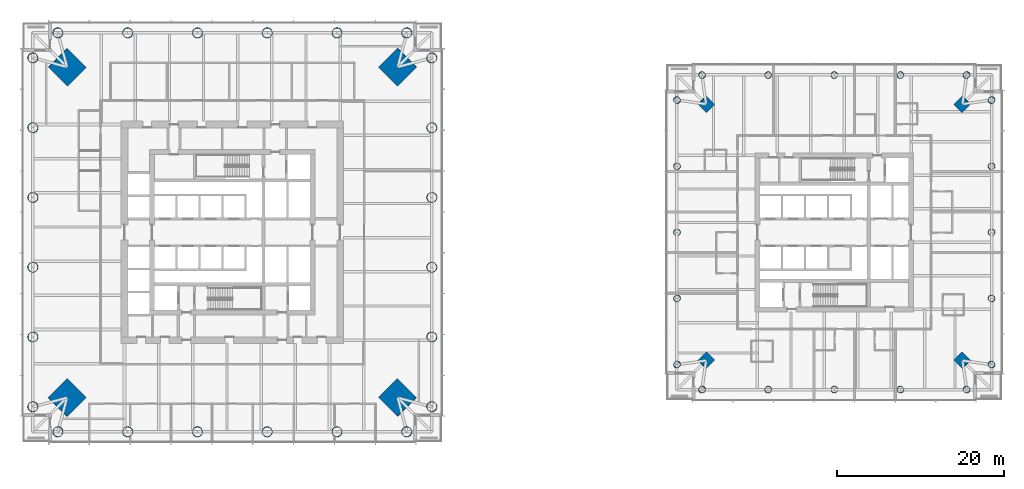
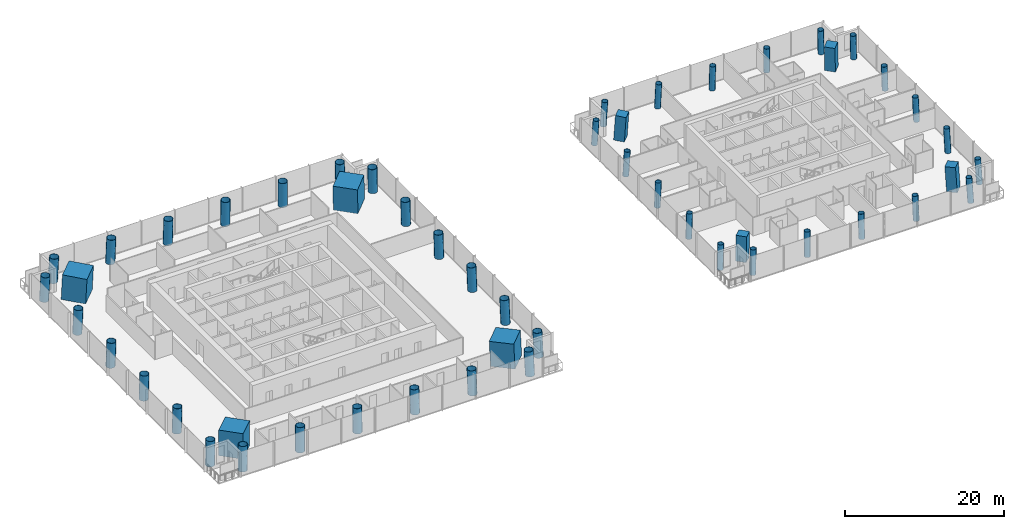
# One storey, part 1 of 19: 52 columns.
"""IFC4 building model written with IfcOpenShell, lengths in metres."""

import ifcopenshell
import ifcopenshell.guid

model = None  # the IFC model being written
_history = None  # IfcOwnerHistory: only IFC2X3 demands one
_inside = {}  # id of a spatial element -> (the spatial element, [elements in it])
_under = {}  # id of a project, library or spatial element -> (it, [spatial elements below it])
_declared = {}  # id of a project -> (the project, [libraries it declares])
_typed = {}  # id of a type object -> (the type object, [elements of that type])
_made_of = {}  # id of a material, layer set ... -> (it, [elements and type objects made of it])


def new_model(schema):
    """Start an empty IFC model of exactly this schema.

    Asked for "IFC4X3", IfcOpenShell would pick the latest addendum, in which some entities
    have other attributes; the version numbers below select the first issue.
    IFC2X3 requires an IfcOwnerHistory on every rooted entity: one is made here for all.
    """
    global model, _history
    if schema == "IFC4X3":
        model = ifcopenshell.file(schema_version=(4, 3, 0, 0))
    else:
        model = ifcopenshell.file(schema=schema)
    _inside.clear()
    _under.clear()
    _declared.clear()
    _typed.clear()
    _made_of.clear()
    _history = None
    if model.schema == "IFC2X3":
        org = make("IfcOrganization", Name="unknown")
        user = make(
            "IfcPersonAndOrganization",
            ThePerson=make("IfcPerson", FamilyName="unknown"),
            TheOrganization=org,
        )
        app = make(
            "IfcApplication",
            ApplicationDeveloper=org,
            Version="unknown",
            ApplicationFullName="unknown",
            ApplicationIdentifier="unknown",
        )
        _history = make(
            "IfcOwnerHistory",
            OwningUser=user,
            OwningApplication=app,
            ChangeAction="ADDED",
            CreationDate=0,
        )
    return model


def make(cls, **values):
    """One entity of the class cls with the attributes given. An attribute that is None is left unset."""
    return model.create_entity(
        cls, **{name: value for name, value in values.items() if value is not None}
    )


def rooted(cls, **values):
    """An entity with a GlobalId (a new one), such as an element, a storey or a relation."""
    return make(cls, GlobalId=ifcopenshell.guid.new(), OwnerHistory=_history, **values)


def si_unit(unit_type, name, prefix=None):
    """IfcSIUnit, for example si_unit("LENGTHUNIT", "METRE", prefix="MILLI")."""
    return make("IfcSIUnit", UnitType=unit_type, Prefix=prefix, Name=name)


def assignment(units):
    """IfcUnitAssignment: the units of a project."""
    return None if units is None else make("IfcUnitAssignment", Units=units)


def point(xyz):
    """IfcCartesianPoint."""
    return None if xyz is None else make("IfcCartesianPoint", Coordinates=xyz)


def direction(xyz):
    """IfcDirection."""
    return None if xyz is None else make("IfcDirection", DirectionRatios=xyz)


def frame(location, z_axis=None, x_axis=None):
    """IfcAxis2Placement3D, a coordinate frame: its origin and axes. An axis left out is left unset."""
    return make(
        "IfcAxis2Placement3D",
        Location=point(location),
        Axis=direction(z_axis),
        RefDirection=direction(x_axis),
    )


def frame_2d(location, x_axis=None):
    """IfcAxis2Placement2D, a coordinate frame in the plane: its origin and x axis."""
    return make(
        "IfcAxis2Placement2D", Location=point(location), RefDirection=direction(x_axis)
    )


def origin():
    """The frame at (0, 0, 0) with its axes left unset."""
    return frame((0.0, 0.0, 0.0))


def origin_2d():
    """The frame at (0, 0) in the plane with its x axis left unset."""
    return frame_2d((0.0, 0.0))


def place(relative_to, where):
    """IfcLocalPlacement: puts the frame where relative to a parent placement (None: the world)."""
    return make(
        "IfcLocalPlacement", PlacementRelTo=relative_to, RelativePlacement=where
    )


def context(
    kind, dimensions, precision=None, world=None, true_north=None, identifier=None
):
    """IfcGeometricRepresentationContext, for example the 3D "Model" context."""
    return make(
        "IfcGeometricRepresentationContext",
        ContextIdentifier=identifier,
        ContextType=kind,
        CoordinateSpaceDimension=dimensions,
        Precision=precision,
        WorldCoordinateSystem=world,
        TrueNorth=true_north,
    )


def subcontext(parent, identifier, kind, view, scale=None):
    """IfcGeometricRepresentationSubContext, for example "Body" below "Model"."""
    return make(
        "IfcGeometricRepresentationSubContext",
        ContextIdentifier=identifier,
        ContextType=kind,
        ParentContext=parent,
        TargetScale=scale,
        TargetView=view,
    )


def project(units=None, contexts=None):
    """IfcProject with its units and contexts."""
    return rooted(
        "IfcProject",
        Name="project",
        RepresentationContexts=contexts,
        UnitsInContext=assignment(units),
    )


def spatial(cls, under=None, at=None, **own):
    """A site, building, storey or space (cls), placed at a placement, below another one or the project."""
    s = rooted(cls, ObjectPlacement=at, **own)
    if under is not None:
        _under.setdefault(under.id(), (under, []))[1].append(s)
    return s


def profile(cls, at=None, kind="AREA", **sizes):
    """A parametric profile (cls). Its sizes go by their IFC names, for example OverallWidth=200.0."""
    return make(cls, ProfileType=kind, Position=at, **sizes)


def rectangle(**sizes):
    """IfcRectangleProfileDef."""
    return profile("IfcRectangleProfileDef", **sizes)


def hollow_circle(**sizes):
    """IfcCircleHollowProfileDef."""
    return profile("IfcCircleHollowProfileDef", **sizes)


def extrude(swept, where, along, depth):
    """IfcExtrudedAreaSolid: the profile swept, set in the frame where, extruded along a direction by depth."""
    return make(
        "IfcExtrudedAreaSolid",
        SweptArea=swept,
        Position=where,
        ExtrudedDirection=direction(along),
        Depth=depth,
    )


def shape(context_of_items, identifier, shape_type, items):
    """IfcShapeRepresentation: the items that make up one representation, for example the "Body"."""
    return make(
        "IfcShapeRepresentation",
        ContextOfItems=context_of_items,
        RepresentationIdentifier=identifier,
        RepresentationType=shape_type,
        Items=items,
    )


def material(Name=None, Category=None):
    """IfcMaterial."""
    return make("IfcMaterial", Name=Name, Category=Category)


def material_profile(
    of_material, cross_section, Name=None, Category=None, Priority=None
):
    """IfcMaterialProfile: a cross section and its material."""
    return make(
        "IfcMaterialProfile",
        Name=Name,
        Material=of_material,
        Profile=cross_section,
        Priority=Priority,
        Category=Category,
    )


def profile_set(profiles, Name=None, composite=None):
    """IfcMaterialProfileSet."""
    return make(
        "IfcMaterialProfileSet",
        Name=Name,
        MaterialProfiles=profiles,
        CompositeProfile=composite,
    )


def made_of(thing, what):
    """Note that an element or type object is made of a material, layer set ...; save() writes the relation."""
    if what is not None:
        _made_of.setdefault(what.id(), (what, []))[1].append(thing)
    return thing


def type_object(cls, material=None, **own):
    """A type object (cls), such as IfcWallType, which elements share."""
    return made_of(rooted(cls, **own), material)


def element(
    cls,
    number,
    at=None,
    inside=None,
    cuts=None,
    type_object=None,
    material=None,
    context=None,
    identifier="Body",
    shape_type=None,
    held_by="IfcProductDefinitionShape",
    body=None,
    shapes=None,
    **own,
):
    """One element of the class cls, such as IfcWall. Its Tag is "e" and its number.

    at: its placement. inside: the storey or other place that contains it. cuts: it is an
    opening in that element (IfcRelVoidsElement). A single representation is given by context,
    identifier, shape_type and body (its items); several are given by shapes. held_by: the class
    of the entity that holds the representations. save() writes the other relations.
    """
    e = rooted(cls, Tag="e%d" % number, ObjectPlacement=at, **own)
    if body is not None:
        shapes = [shape(context, identifier, shape_type, body)]
    if shapes is not None:
        e.Representation = make(held_by, Representations=shapes)
    if inside is not None:
        _inside.setdefault(inside.id(), (inside, []))[1].append(e)
    if cuts is not None:
        rooted(
            "IfcRelVoidsElement", RelatingBuildingElement=cuts, RelatedOpeningElement=e
        )
    if type_object is not None:
        _typed.setdefault(type_object.id(), (type_object, []))[1].append(e)
    return made_of(e, material)


def aggregate(whole, parts):
    """IfcRelAggregates: a whole, such as a stair, and the parts it consists of."""
    return rooted("IfcRelAggregates", RelatingObject=whole, RelatedObjects=parts)


def save(model, path):
    """Write the relations noted so far, then the file.

    IfcRelAggregates (storeys below a building ...), IfcRelContainedInSpatialStructure (elements
    in a storey), IfcRelDefinesByType, IfcRelAssociatesMaterial and IfcRelDeclares: one each for
    every whole, place, type object, material and project.
    """
    for whole, parts in _under.values():
        aggregate(whole, parts)
    for where, things in _inside.values():
        rooted(
            "IfcRelContainedInSpatialStructure",
            RelatedElements=things,
            RelatingStructure=where,
        )
    for kind, things in _typed.values():
        rooted("IfcRelDefinesByType", RelatedObjects=things, RelatingType=kind)
    for what, things in _made_of.values():
        rooted("IfcRelAssociatesMaterial", RelatedObjects=things, RelatingMaterial=what)
    for by, libraries in _declared.values():
        rooted("IfcRelDeclares", RelatingContext=by, RelatedDefinitions=libraries)
    model.write(path)


model = new_model("IFC4")

# Units and contexts
model_context = context("Model", 3, precision=1e-05, world=origin(), true_north=direction((0.0, 1.0)))
body_context = subcontext(model_context, "Body", "Model", "MODEL_VIEW")
ifc_project = project(units=[si_unit("LENGTHUNIT", "METRE"), si_unit("AREAUNIT", "SQUARE_METRE"), si_unit("VOLUMEUNIT", "CUBIC_METRE"), si_unit("PLANEANGLEUNIT", "RADIAN"), si_unit("MASSUNIT", "GRAM", prefix="KILO")], contexts=[model_context])

# Site, building, storey
site_placement = place(None, origin())
site = spatial("IfcSite", under=ifc_project, at=site_placement, CompositionType="ELEMENT")
building_placement = place(site_placement, origin())
building = spatial("IfcBuilding", under=site, at=building_placement, Name="Ostroluk Exchange", CompositionType="ELEMENT")
storey_placement = place(building_placement, frame((0.0, 0.0, 24.800048828125)))
storey = spatial("IfcBuildingStorey", under=building, at=storey_placement, Name="L05", CompositionType="ELEMENT", Elevation=24.800048828125)

# Columns
ifc_material_1 = material(Name="Concrete C50/60", Category="concrete")
ifc_material_profile_1 = material_profile(ifc_material_1, rectangle(XDim=1.39990234375, YDim=1.39990234375, at=origin_2d()), Name="RC 1400x1400")
ifc_profile_set_1 = profile_set([ifc_material_profile_1], Name="Concrete C50/60")
column_type_1 = type_object("IfcColumnType", Name="Mega column RC 1400x1400", PredefinedType="COLUMN", material=ifc_profile_set_1)
for number, where, z_axis, x_axis, name in (
    (1, (132.336181640625, 61.336181640625, 0.0), (-0.043029647111, -0.043029647111, 0.998146732169), (0.707106781187, -0.707106781187, 0.0), "T2 mega column NE"),
    (2, (101.663818359375, 61.336181640625, 0.0), (0.043029647111, -0.043029647111, 0.998146732169), (0.707106781187, 0.707106781187, 0.0), "T2 mega column NW"),
    (3, (101.663818359375, 30.663818359375, 0.0), (0.043029647111, 0.043029647111, 0.998146732169), (-0.707106781187, 0.707106781187, 0.0), "T2 mega column SW"),
    (4, (132.336181640625, 30.663818359375, 0.0), (-0.043029647111, 0.043029647111, 0.998146732169), (-0.707106781187, -0.707106781187, 0.0), "T2 mega column SE"),
):
    element("IfcColumn", number, at=place(storey_placement, frame(where, z_axis=z_axis, x_axis=x_axis)), inside=storey, type_object=column_type_1, Name=name, PredefinedType="COLUMN", context=body_context, shape_type="SweptSolid", body=[
        extrude(rectangle(XDim=1.39990234375, YDim=1.39990234375, at=origin_2d()), origin(), (0.0, 0.0, 1.0), 3.80712890625),
    ])
ifc_material_2 = material(Name="Concrete C50/60", Category="concrete")
ifc_material_profile_2 = material_profile(ifc_material_2, rectangle(XDim=3.199951171875, YDim=3.199951171875, at=origin_2d()), Name="RC 3200x3200")
ifc_profile_set_2 = profile_set([ifc_material_profile_2], Name="Concrete C50/60")
column_type_2 = type_object("IfcColumnType", Name="Mega column RC 3200x3200", PredefinedType="COLUMN", material=ifc_profile_set_2)
for number, where, z_axis, x_axis, name in (
    (5, (64.778564453125, 65.778564453125, 0.0), (-0.031898107953, -0.031898107953, 0.998981992539), (0.707106781187, -0.707106781187, 0.0), "T1 mega column NE"),
    (6, (25.221435546875, 65.778564453125, 0.0), (0.031898107953, -0.031898107953, 0.998981992539), (0.707106781187, 0.707106781187, 0.0), "T1 mega column NW"),
    (7, (25.221435546875, 26.221435546875, 0.0), (0.031898107953, 0.031898107953, 0.998981992539), (-0.707106781187, 0.707106781187, 0.0), "T1 mega column SW"),
    (8, (64.778564453125, 26.221435546875, 0.0), (-0.031898107953, 0.031898107953, 0.998981992539), (-0.707106781187, -0.707106781187, 0.0), "T1 mega column SE"),
):
    element("IfcColumn", number, at=place(storey_placement, frame(where, z_axis=z_axis, x_axis=x_axis)), inside=storey, type_object=column_type_2, Name=name, PredefinedType="COLUMN", context=body_context, shape_type="SweptSolid", body=[
        extrude(rectangle(XDim=3.199951171875, YDim=3.199951171875, at=origin_2d()), origin(), (0.0, 0.0, 1.0), 3.803955078125),
    ])
ifc_material_3 = material(Name="Steel S460", Category="steel")
ifc_material_profile_3 = material_profile(ifc_material_3, hollow_circle(Radius=0.609619140625, WallThickness=0.0400390625, at=origin_2d()), Name="CHS 1219x40")
ifc_profile_set_3 = profile_set([ifc_material_profile_3], Name="Steel S460")
column_type_3 = type_object("IfcColumnType", Name="Perimeter column CHS 1219x40", PredefinedType="COLUMN", material=ifc_profile_set_3)
for number, where, z_axis, x_axis, name in (
    (9, (68.878662109375, 25.121337890625, 0.0), (-0.031962158256, 0.031962158256, 0.998977898093), (-0.707106781187, -0.707106781187, 0.0), "T1 east face column E0"),
    (10, (68.878662109375, 66.878662109375, 0.0), (-0.031962158256, -0.031962158256, 0.998977898093), (0.707106781187, -0.707106781187, 0.0), "T1 east face column E1"),
):
    element("IfcColumn", number, at=place(storey_placement, frame(where, z_axis=z_axis, x_axis=x_axis)), inside=storey, type_object=column_type_3, Name=name, PredefinedType="COLUMN", context=body_context, shape_type="SweptSolid", body=[
        extrude(hollow_circle(Radius=0.609619140625, WallThickness=0.0400390625, at=origin_2d()), origin(), (0.0, 0.0, 1.0), 3.803955078125),
    ])
column_1_placement = place(storey_placement, frame((68.878662109375, 33.472900390625, 0.0), z_axis=(-0.031972643447, 0.019132224392, 0.999305612944), x_axis=(-0.51348181169, -0.858100477254, 0.0)))
element("IfcColumn", 11, at=column_1_placement, inside=storey, type_object=column_type_3, Name="T1 east face column I1", PredefinedType="COLUMN", context=body_context, shape_type="SweptSolid", body=[
    extrude(hollow_circle(Radius=0.609619140625, WallThickness=0.0400390625, at=origin_2d()), origin(), (0.0, 0.0, 1.0), 3.802734375),
])
for number, where, z_axis, x_axis, name in (
    (12, (68.878662109375, 41.82421875, 0.0), (-0.031977837436, 0.006421252497, 0.999467951177), (-0.196873281596, -0.980428942348, 0.0), "T1 east face column I2"),
    (13, (68.878662109375, 50.17578125, 0.0), (-0.031977837436, -0.006421252497, 0.999467951177), (0.196873281596, -0.980428942348, 0.0), "T1 east face column I3"),
):
    element("IfcColumn", number, at=place(storey_placement, frame(where, z_axis=z_axis, x_axis=x_axis)), inside=storey, type_object=column_type_3, Name=name, PredefinedType="COLUMN", context=body_context, shape_type="SweptSolid", body=[
        extrude(hollow_circle(Radius=0.609619140625, WallThickness=0.0400390625, at=origin_2d()), origin(), (0.0, 0.0, 1.0), 3.802001953125),
    ])
column_2_placement = place(storey_placement, frame((68.878662109375, 58.527099609375, 0.0), z_axis=(-0.031972643447, -0.019132224392, 0.999305612944), x_axis=(0.51348181169, -0.858100477254, 0.0)))
element("IfcColumn", 14, at=column_2_placement, inside=storey, type_object=column_type_3, Name="T1 east face column I4", PredefinedType="COLUMN", context=body_context, shape_type="SweptSolid", body=[
    extrude(hollow_circle(Radius=0.609619140625, WallThickness=0.0400390625, at=origin_2d()), origin(), (0.0, 0.0, 1.0), 3.802734375),
])
for number, where, z_axis, x_axis, name in (
    (15, (65.878662109375, 69.878662109375, 0.0), (-0.031962158256, -0.031962158256, 0.998977898093), (0.707106781187, -0.707106781187, 0.0), "T1 north face column E0"),
    (16, (24.121337890625, 69.878662109375, 0.0), (0.031962158256, -0.031962158256, 0.998977898093), (0.707106781187, 0.707106781187, 0.0), "T1 north face column E1"),
):
    element("IfcColumn", number, at=place(storey_placement, frame(where, z_axis=z_axis, x_axis=x_axis)), inside=storey, type_object=column_type_3, Name=name, PredefinedType="COLUMN", context=body_context, shape_type="SweptSolid", body=[
        extrude(hollow_circle(Radius=0.609619140625, WallThickness=0.0400390625, at=origin_2d()), origin(), (0.0, 0.0, 1.0), 3.803955078125),
    ])
column_3_placement = place(storey_placement, frame((57.527099609375, 69.878662109375, 0.0), z_axis=(-0.019132224392, -0.031972643447, 0.999305612944), x_axis=(0.858100477254, -0.51348181169, 0.0)))
element("IfcColumn", 17, at=column_3_placement, inside=storey, type_object=column_type_3, Name="T1 north face column I1", PredefinedType="COLUMN", context=body_context, shape_type="SweptSolid", body=[
    extrude(hollow_circle(Radius=0.609619140625, WallThickness=0.0400390625, at=origin_2d()), origin(), (0.0, 0.0, 1.0), 3.802734375),
])
for number, where, z_axis, x_axis, name in (
    (18, (49.17578125, 69.878662109375, 0.0), (-0.006421252497, -0.031977837436, 0.999467951177), (0.980428942348, -0.196873281596, 0.0), "T1 north face column I2"),
    (19, (40.82421875, 69.878662109375, 0.0), (0.006421252497, -0.031977837436, 0.999467951177), (0.980428942348, 0.196873281596, 0.0), "T1 north face column I3"),
):
    element("IfcColumn", number, at=place(storey_placement, frame(where, z_axis=z_axis, x_axis=x_axis)), inside=storey, type_object=column_type_3, Name=name, PredefinedType="COLUMN", context=body_context, shape_type="SweptSolid", body=[
        extrude(hollow_circle(Radius=0.609619140625, WallThickness=0.0400390625, at=origin_2d()), origin(), (0.0, 0.0, 1.0), 3.802001953125),
    ])
column_4_placement = place(storey_placement, frame((32.472900390625, 69.878662109375, 0.0), z_axis=(0.019132224392, -0.031972643447, 0.999305612944), x_axis=(0.858100477254, 0.51348181169, 0.0)))
element("IfcColumn", 20, at=column_4_placement, inside=storey, type_object=column_type_3, Name="T1 north face column I4", PredefinedType="COLUMN", context=body_context, shape_type="SweptSolid", body=[
    extrude(hollow_circle(Radius=0.609619140625, WallThickness=0.0400390625, at=origin_2d()), origin(), (0.0, 0.0, 1.0), 3.802734375),
])
for number, where, z_axis, x_axis, name in (
    (21, (21.121337890625, 66.878662109375, 0.0), (0.031962158256, -0.031962158256, 0.998977898093), (0.707106781187, 0.707106781187, 0.0), "T1 west face column E0"),
    (22, (21.121337890625, 25.121337890625, 0.0), (0.031962158256, 0.031962158256, 0.998977898093), (-0.707106781187, 0.707106781187, 0.0), "T1 west face column E1"),
):
    element("IfcColumn", number, at=place(storey_placement, frame(where, z_axis=z_axis, x_axis=x_axis)), inside=storey, type_object=column_type_3, Name=name, PredefinedType="COLUMN", context=body_context, shape_type="SweptSolid", body=[
        extrude(hollow_circle(Radius=0.609619140625, WallThickness=0.0400390625, at=origin_2d()), origin(), (0.0, 0.0, 1.0), 3.803955078125),
    ])
column_5_placement = place(storey_placement, frame((21.121337890625, 58.527099609375, 0.0), z_axis=(0.031972643447, -0.019132224392, 0.999305612944), x_axis=(0.51348181169, 0.858100477254, 0.0)))
element("IfcColumn", 23, at=column_5_placement, inside=storey, type_object=column_type_3, Name="T1 west face column I1", PredefinedType="COLUMN", context=body_context, shape_type="SweptSolid", body=[
    extrude(hollow_circle(Radius=0.609619140625, WallThickness=0.0400390625, at=origin_2d()), origin(), (0.0, 0.0, 1.0), 3.802734375),
])
for number, where, z_axis, x_axis, name in (
    (24, (21.121337890625, 50.17578125, 0.0), (0.031977837436, -0.006421252497, 0.999467951177), (0.196873281596, 0.980428942348, 0.0), "T1 west face column I2"),
    (25, (21.121337890625, 41.82421875, 0.0), (0.031977837436, 0.006421252497, 0.999467951177), (-0.196873281596, 0.980428942348, 0.0), "T1 west face column I3"),
):
    element("IfcColumn", number, at=place(storey_placement, frame(where, z_axis=z_axis, x_axis=x_axis)), inside=storey, type_object=column_type_3, Name=name, PredefinedType="COLUMN", context=body_context, shape_type="SweptSolid", body=[
        extrude(hollow_circle(Radius=0.609619140625, WallThickness=0.0400390625, at=origin_2d()), origin(), (0.0, 0.0, 1.0), 3.802001953125),
    ])
column_6_placement = place(storey_placement, frame((21.121337890625, 33.472900390625, 0.0), z_axis=(0.031972643447, 0.019132224392, 0.999305612944), x_axis=(-0.51348181169, 0.858100477254, 0.0)))
element("IfcColumn", 26, at=column_6_placement, inside=storey, type_object=column_type_3, Name="T1 west face column I4", PredefinedType="COLUMN", context=body_context, shape_type="SweptSolid", body=[
    extrude(hollow_circle(Radius=0.609619140625, WallThickness=0.0400390625, at=origin_2d()), origin(), (0.0, 0.0, 1.0), 3.802734375),
])
for number, where, z_axis, x_axis, name in (
    (27, (24.121337890625, 22.121337890625, 0.0), (0.031962158256, 0.031962158256, 0.998977898093), (-0.707106781187, 0.707106781187, 0.0), "T1 south face column E0"),
    (28, (65.878662109375, 22.121337890625, 0.0), (-0.031962158256, 0.031962158256, 0.998977898093), (-0.707106781187, -0.707106781187, 0.0), "T1 south face column E1"),
):
    element("IfcColumn", number, at=place(storey_placement, frame(where, z_axis=z_axis, x_axis=x_axis)), inside=storey, type_object=column_type_3, Name=name, PredefinedType="COLUMN", context=body_context, shape_type="SweptSolid", body=[
        extrude(hollow_circle(Radius=0.609619140625, WallThickness=0.0400390625, at=origin_2d()), origin(), (0.0, 0.0, 1.0), 3.803955078125),
    ])
column_7_placement = place(storey_placement, frame((32.472900390625, 22.121337890625, 0.0), z_axis=(0.019132224392, 0.031972643447, 0.999305612944), x_axis=(-0.858100477254, 0.51348181169, 0.0)))
element("IfcColumn", 29, at=column_7_placement, inside=storey, type_object=column_type_3, Name="T1 south face column I1", PredefinedType="COLUMN", context=body_context, shape_type="SweptSolid", body=[
    extrude(hollow_circle(Radius=0.609619140625, WallThickness=0.0400390625, at=origin_2d()), origin(), (0.0, 0.0, 1.0), 3.802734375),
])
for number, where, z_axis, x_axis, name in (
    (30, (40.82421875, 22.121337890625, 0.0), (0.006421252497, 0.031977837436, 0.999467951177), (-0.980428942348, 0.196873281596, 0.0), "T1 south face column I2"),
    (31, (49.17578125, 22.121337890625, 0.0), (-0.006421252497, 0.031977837436, 0.999467951177), (-0.980428942348, -0.196873281596, 0.0), "T1 south face column I3"),
):
    element("IfcColumn", number, at=place(storey_placement, frame(where, z_axis=z_axis, x_axis=x_axis)), inside=storey, type_object=column_type_3, Name=name, PredefinedType="COLUMN", context=body_context, shape_type="SweptSolid", body=[
        extrude(hollow_circle(Radius=0.609619140625, WallThickness=0.0400390625, at=origin_2d()), origin(), (0.0, 0.0, 1.0), 3.802001953125),
    ])
column_8_placement = place(storey_placement, frame((57.527099609375, 22.121337890625, 0.0), z_axis=(-0.019132224392, 0.031972643447, 0.999305612944), x_axis=(-0.858100477254, -0.51348181169, 0.0)))
element("IfcColumn", 32, at=column_8_placement, inside=storey, type_object=column_type_3, Name="T1 south face column I4", PredefinedType="COLUMN", context=body_context, shape_type="SweptSolid", body=[
    extrude(hollow_circle(Radius=0.609619140625, WallThickness=0.0400390625, at=origin_2d()), origin(), (0.0, 0.0, 1.0), 3.802734375),
])
ifc_material_4 = material(Name="Steel S460", Category="steel")
ifc_material_profile_4 = material_profile(ifc_material_4, hollow_circle(Radius=0.406494140625, WallThickness=0.030029296875, at=origin_2d()), Name="CHS 813x30")
ifc_profile_set_4 = profile_set([ifc_material_profile_4], Name="Steel S460")
column_type_4 = type_object("IfcColumnType", Name="Perimeter column CHS 813x30", PredefinedType="COLUMN", material=ifc_profile_set_4)
for number, where, z_axis, x_axis, name in (
    (33, (135.836181640625, 30.163818359375, 0.0), (-0.043029647111, 0.043029647111, 0.998146732169), (-0.707106781187, -0.707106781187, 0.0), "T2 east face column E0"),
    (34, (135.836181640625, 61.836181640625, 0.0), (-0.043029647111, -0.043029647111, 0.998146732169), (0.707106781187, -0.707106781187, 0.0), "T2 east face column E1"),
):
    element("IfcColumn", number, at=place(storey_placement, frame(where, z_axis=z_axis, x_axis=x_axis)), inside=storey, type_object=column_type_4, Name=name, PredefinedType="COLUMN", context=body_context, shape_type="SweptSolid", body=[
        extrude(hollow_circle(Radius=0.406494140625, WallThickness=0.030029296875, at=origin_2d()), origin(), (0.0, 0.0, 1.0), 3.80712890625),
    ])
column_9_placement = place(storey_placement, frame((135.836181640625, 38.081787109375, 0.0), z_axis=(-0.043059525333, 0.021561848751, 0.998839808957), x_axis=(-0.44774654769, -0.894160516368, 0.0)))
element("IfcColumn", 35, at=column_9_placement, inside=storey, type_object=column_type_4, Name="T2 east face column I1", PredefinedType="COLUMN", context=body_context, shape_type="SweptSolid", body=[
    extrude(hollow_circle(Radius=0.406494140625, WallThickness=0.030029296875, at=origin_2d()), origin(), (0.0, 0.0, 1.0), 3.804443359375),
])
column_10_placement = place(storey_placement, frame((135.836181640625, 46.0, 0.0), z_axis=(-0.043069538298, 0.0, 0.999072076915), x_axis=(0.0, -1.0, 0.0)))
element("IfcColumn", 36, at=column_10_placement, inside=storey, type_object=column_type_4, Name="T2 east face column I2", PredefinedType="COLUMN", context=body_context, shape_type="SweptSolid", body=[
    extrude(hollow_circle(Radius=0.406494140625, WallThickness=0.030029296875, at=origin_2d()), origin(), (0.0, 0.0, 1.0), 3.803466796875),
])
column_11_placement = place(storey_placement, frame((135.836181640625, 53.918212890625, 0.0), z_axis=(-0.043059525333, -0.021561848751, 0.998839808957), x_axis=(0.44774654769, -0.894160516368, 0.0)))
element("IfcColumn", 37, at=column_11_placement, inside=storey, type_object=column_type_4, Name="T2 east face column I3", PredefinedType="COLUMN", context=body_context, shape_type="SweptSolid", body=[
    extrude(hollow_circle(Radius=0.406494140625, WallThickness=0.030029296875, at=origin_2d()), origin(), (0.0, 0.0, 1.0), 3.804443359375),
])
for number, where, z_axis, x_axis, name in (
    (38, (132.836181640625, 64.836181640625, 0.0), (-0.043029647111, -0.043029647111, 0.998146732169), (0.707106781187, -0.707106781187, 0.0), "T2 north face column E0"),
    (39, (101.163818359375, 64.836181640625, 0.0), (0.043029647111, -0.043029647111, 0.998146732169), (0.707106781187, 0.707106781187, 0.0), "T2 north face column E1"),
):
    element("IfcColumn", number, at=place(storey_placement, frame(where, z_axis=z_axis, x_axis=x_axis)), inside=storey, type_object=column_type_4, Name=name, PredefinedType="COLUMN", context=body_context, shape_type="SweptSolid", body=[
        extrude(hollow_circle(Radius=0.406494140625, WallThickness=0.030029296875, at=origin_2d()), origin(), (0.0, 0.0, 1.0), 3.80712890625),
    ])
column_12_placement = place(storey_placement, frame((124.918212890625, 64.836181640625, 0.0), z_axis=(-0.021561848751, -0.043059525333, 0.998839808957), x_axis=(0.894160516368, -0.44774654769, 0.0)))
element("IfcColumn", 40, at=column_12_placement, inside=storey, type_object=column_type_4, Name="T2 north face column I1", PredefinedType="COLUMN", context=body_context, shape_type="SweptSolid", body=[
    extrude(hollow_circle(Radius=0.406494140625, WallThickness=0.030029296875, at=origin_2d()), origin(), (0.0, 0.0, 1.0), 3.804443359375),
])
column_13_placement = place(storey_placement, frame((117.0, 64.836181640625, 0.0), z_axis=(0.0, -0.043069538298, 0.999072076915), x_axis=(1.0, 0.0, 0.0)))
element("IfcColumn", 41, at=column_13_placement, inside=storey, type_object=column_type_4, Name="T2 north face column I2", PredefinedType="COLUMN", context=body_context, shape_type="SweptSolid", body=[
    extrude(hollow_circle(Radius=0.406494140625, WallThickness=0.030029296875, at=origin_2d()), origin(), (0.0, 0.0, 1.0), 3.803466796875),
])
column_14_placement = place(storey_placement, frame((109.081787109375, 64.836181640625, 0.0), z_axis=(0.021561848751, -0.043059525333, 0.998839808957), x_axis=(0.894160516368, 0.44774654769, 0.0)))
element("IfcColumn", 42, at=column_14_placement, inside=storey, type_object=column_type_4, Name="T2 north face column I3", PredefinedType="COLUMN", context=body_context, shape_type="SweptSolid", body=[
    extrude(hollow_circle(Radius=0.406494140625, WallThickness=0.030029296875, at=origin_2d()), origin(), (0.0, 0.0, 1.0), 3.804443359375),
])
for number, where, z_axis, x_axis, name in (
    (43, (98.163818359375, 61.836181640625, 0.0), (0.043029647111, -0.043029647111, 0.998146732169), (0.707106781187, 0.707106781187, 0.0), "T2 west face column E0"),
    (44, (98.163818359375, 30.163818359375, 0.0), (0.043029647111, 0.043029647111, 0.998146732169), (-0.707106781187, 0.707106781187, 0.0), "T2 west face column E1"),
):
    element("IfcColumn", number, at=place(storey_placement, frame(where, z_axis=z_axis, x_axis=x_axis)), inside=storey, type_object=column_type_4, Name=name, PredefinedType="COLUMN", context=body_context, shape_type="SweptSolid", body=[
        extrude(hollow_circle(Radius=0.406494140625, WallThickness=0.030029296875, at=origin_2d()), origin(), (0.0, 0.0, 1.0), 3.80712890625),
    ])
column_15_placement = place(storey_placement, frame((98.163818359375, 53.918212890625, 0.0), z_axis=(0.043059525333, -0.021561848751, 0.998839808957), x_axis=(0.44774654769, 0.894160516368, 0.0)))
element("IfcColumn", 45, at=column_15_placement, inside=storey, type_object=column_type_4, Name="T2 west face column I1", PredefinedType="COLUMN", context=body_context, shape_type="SweptSolid", body=[
    extrude(hollow_circle(Radius=0.406494140625, WallThickness=0.030029296875, at=origin_2d()), origin(), (0.0, 0.0, 1.0), 3.804443359375),
])
column_16_placement = place(storey_placement, frame((98.163818359375, 46.0, 0.0), z_axis=(0.043069538298, 0.0, 0.999072076915), x_axis=(0.0, 1.0, 0.0)))
element("IfcColumn", 46, at=column_16_placement, inside=storey, type_object=column_type_4, Name="T2 west face column I2", PredefinedType="COLUMN", context=body_context, shape_type="SweptSolid", body=[
    extrude(hollow_circle(Radius=0.406494140625, WallThickness=0.030029296875, at=origin_2d()), origin(), (0.0, 0.0, 1.0), 3.803466796875),
])
column_17_placement = place(storey_placement, frame((98.163818359375, 38.081787109375, 0.0), z_axis=(0.043059525333, 0.021561848751, 0.998839808957), x_axis=(-0.44774654769, 0.894160516368, 0.0)))
element("IfcColumn", 47, at=column_17_placement, inside=storey, type_object=column_type_4, Name="T2 west face column I3", PredefinedType="COLUMN", context=body_context, shape_type="SweptSolid", body=[
    extrude(hollow_circle(Radius=0.406494140625, WallThickness=0.030029296875, at=origin_2d()), origin(), (0.0, 0.0, 1.0), 3.804443359375),
])
for number, where, z_axis, x_axis, name in (
    (48, (101.163818359375, 27.163818359375, 0.0), (0.043029647111, 0.043029647111, 0.998146732169), (-0.707106781187, 0.707106781187, 0.0), "T2 south face column E0"),
    (49, (132.836181640625, 27.163818359375, 0.0), (-0.043029647111, 0.043029647111, 0.998146732169), (-0.707106781187, -0.707106781187, 0.0), "T2 south face column E1"),
):
    element("IfcColumn", number, at=place(storey_placement, frame(where, z_axis=z_axis, x_axis=x_axis)), inside=storey, type_object=column_type_4, Name=name, PredefinedType="COLUMN", context=body_context, shape_type="SweptSolid", body=[
        extrude(hollow_circle(Radius=0.406494140625, WallThickness=0.030029296875, at=origin_2d()), origin(), (0.0, 0.0, 1.0), 3.80712890625),
    ])
column_18_placement = place(storey_placement, frame((109.081787109375, 27.163818359375, 0.0), z_axis=(0.021561848751, 0.043059525333, 0.998839808957), x_axis=(-0.894160516368, 0.44774654769, 0.0)))
element("IfcColumn", 50, at=column_18_placement, inside=storey, type_object=column_type_4, Name="T2 south face column I1", PredefinedType="COLUMN", context=body_context, shape_type="SweptSolid", body=[
    extrude(hollow_circle(Radius=0.406494140625, WallThickness=0.030029296875, at=origin_2d()), origin(), (0.0, 0.0, 1.0), 3.804443359375),
])
column_19_placement = place(storey_placement, frame((117.0, 27.163818359375, 0.0), z_axis=(0.0, 0.043069538298, 0.999072076915), x_axis=(-1.0, 0.0, 0.0)))
element("IfcColumn", 51, at=column_19_placement, inside=storey, type_object=column_type_4, Name="T2 south face column I2", PredefinedType="COLUMN", context=body_context, shape_type="SweptSolid", body=[
    extrude(hollow_circle(Radius=0.406494140625, WallThickness=0.030029296875, at=origin_2d()), origin(), (0.0, 0.0, 1.0), 3.803466796875),
])
column_20_placement = place(storey_placement, frame((124.918212890625, 27.163818359375, 0.0), z_axis=(-0.021561848751, 0.043059525333, 0.998839808957), x_axis=(-0.894160516368, -0.44774654769, 0.0)))
element("IfcColumn", 52, at=column_20_placement, inside=storey, type_object=column_type_4, Name="T2 south face column I3", PredefinedType="COLUMN", context=body_context, shape_type="SweptSolid", body=[
    extrude(hollow_circle(Radius=0.406494140625, WallThickness=0.030029296875, at=origin_2d()), origin(), (0.0, 0.0, 1.0), 3.804443359375),
])

save(model, "model.ifc")
